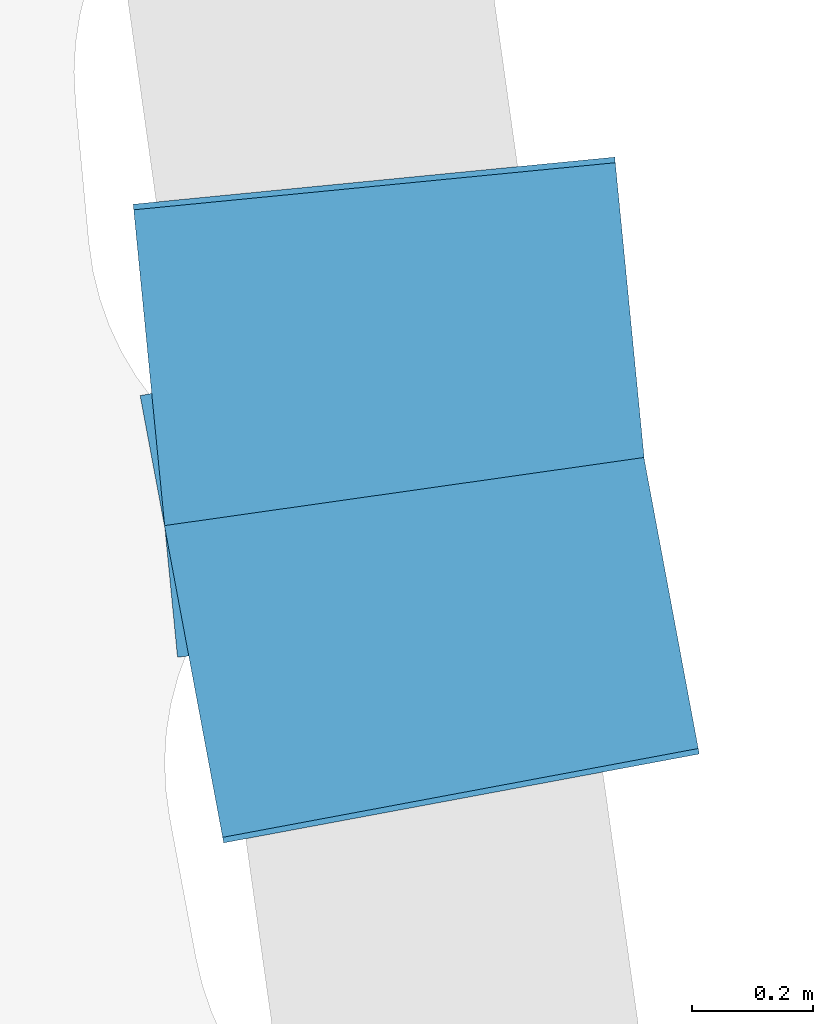
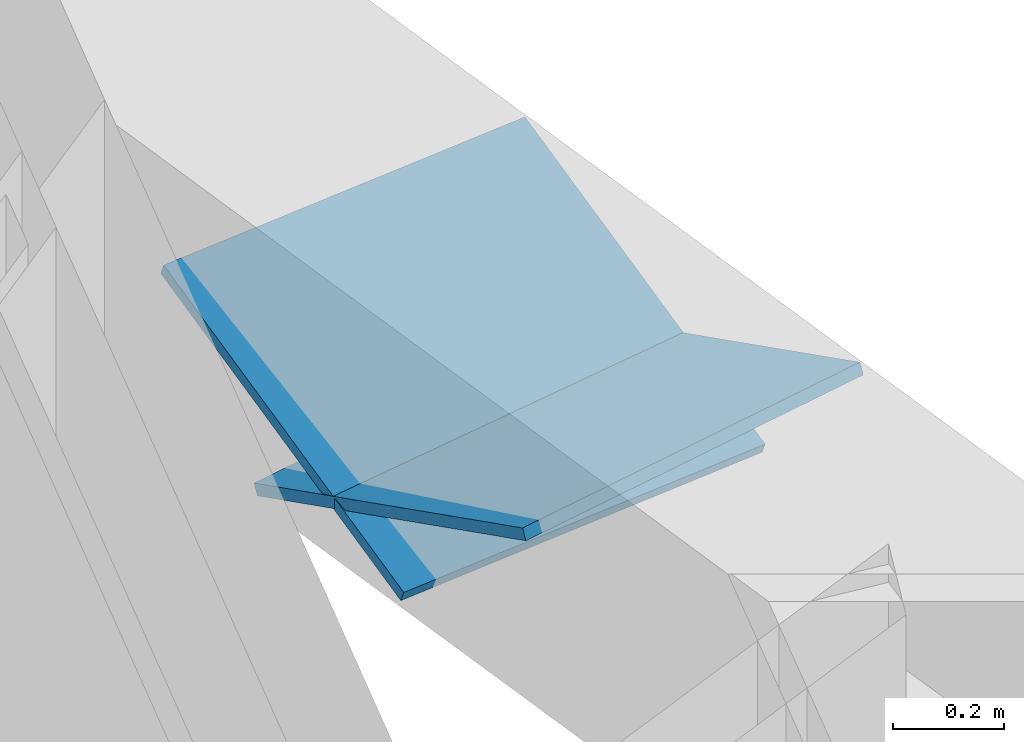
# One storey, part 29 of 34: 2 discrete accessories.
"""IFC4 building model written with IfcOpenShell, lengths in metres."""

from ifc_helpers import new_model, si_unit, direction, frame, origin, origin_2d, place, context, subcontext, project, spatial, rectangle, extrude, material, material_profile, profile_set, type_object, element, save


model = new_model("IFC4")

# Units and contexts
model_context = context("Model", 3, precision=1e-05, world=origin(), true_north=direction((0.0, 1.0)))
body_context = subcontext(model_context, "Body", "Model", "MODEL_VIEW")
ifc_project = project(units=[si_unit("LENGTHUNIT", "METRE"), si_unit("AREAUNIT", "SQUARE_METRE"), si_unit("VOLUMEUNIT", "CUBIC_METRE"), si_unit("PLANEANGLEUNIT", "RADIAN"), si_unit("MASSUNIT", "GRAM", prefix="KILO")], contexts=[model_context])

# Site, building, storey
site_placement = place(None, origin())
site = spatial("IfcSite", under=ifc_project, at=site_placement, CompositionType="ELEMENT")
building_placement = place(site_placement, origin())
building = spatial("IfcBuilding", under=site, at=building_placement, Name="Mirante Cascada Hotel Towers", CompositionType="ELEMENT")
storey_placement = place(building_placement, frame((0.0, 0.0, 148.1)))
storey = spatial("IfcBuildingStorey", under=building, at=storey_placement, Name="L34", CompositionType="ELEMENT", Elevation=148.1)

# Discrete accessories
ifc_material = material(Name="Steel ASTM A572 Gr 50", Category="steel")
ifc_material_profile = material_profile(ifc_material, rectangle(XDim=0.8, YDim=0.8, at=origin_2d()), Name="Connection plate 800x800x25 ASTM A572 Gr 50")
ifc_profile_set = profile_set([ifc_material_profile], Name="Steel ASTM A572 Gr 50")
discrete_accessory_type = type_object("IfcDiscreteAccessoryType", Name="Connection plate 800x800x25 ASTM A572 Gr 50", PredefinedType="BRACKET", material=ifc_profile_set)
for number, where, z_axis, x_axis, name in (
    (1, (102.387, 8.0273, 0.9413), (-0.0680577, 0.3643091, 0.9287879), (-0.9829943, -0.1836363, 0.0), "Connection plate MB-OL20L"),
    (2, (102.3467, 8.3137, 0.9413), (0.0360378, -0.3683863, 0.9289741), (0.9952491, 0.0973613, 0.0), "Connection plate MB-OL20R"),
):
    element("IfcDiscreteAccessory", number, at=place(storey_placement, frame(where, z_axis=z_axis, x_axis=x_axis)), inside=storey, type_object=discrete_accessory_type, Name=name, PredefinedType="BRACKET", context=body_context, shape_type="SweptSolid", body=[
        extrude(rectangle(XDim=0.8, YDim=0.8, at=origin_2d()), origin(), (0.0, 0.0, 1.0), 0.025),
    ])

save(model, "model.ifc")
